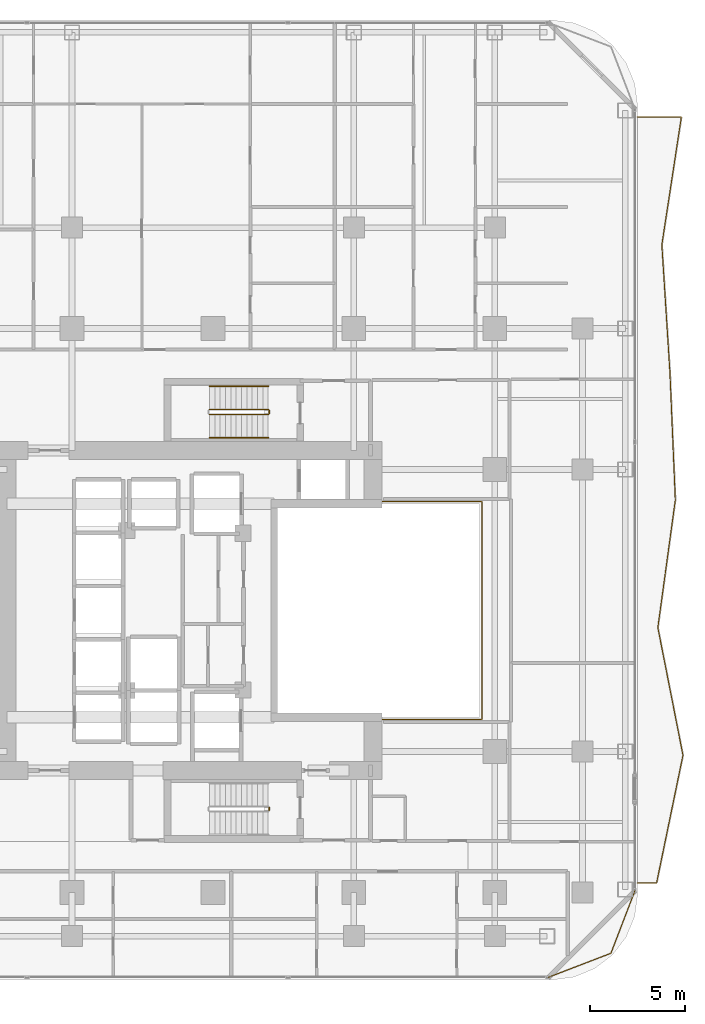
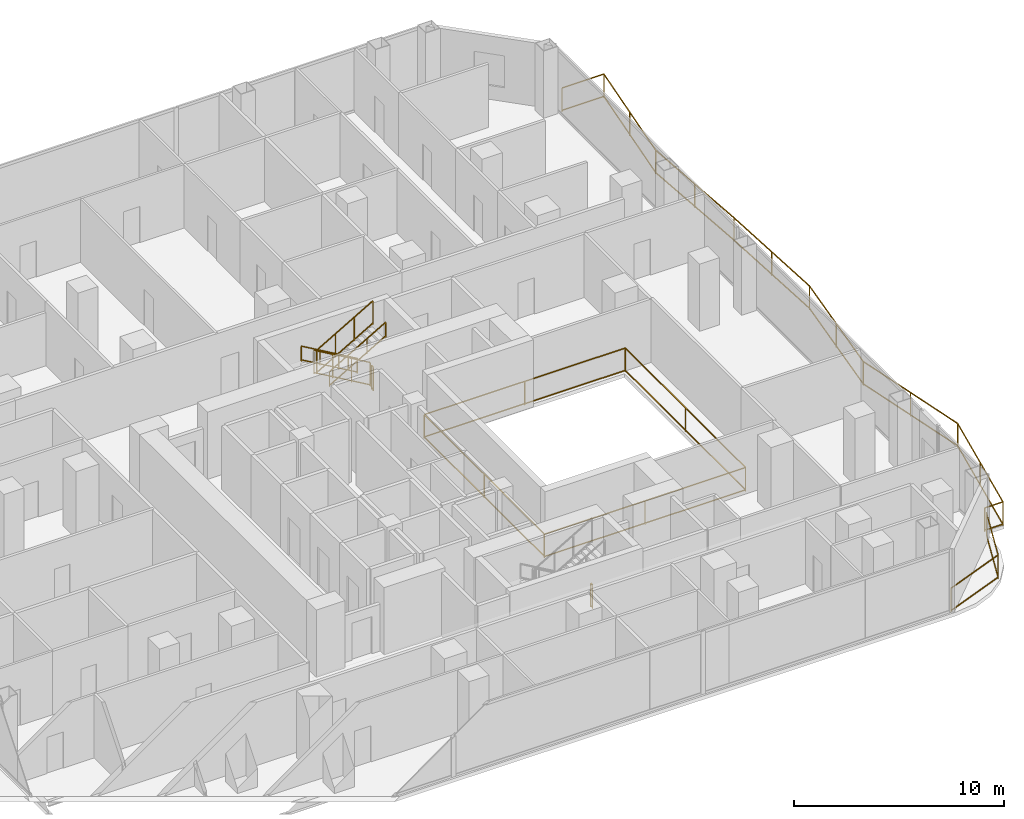
# One storey, part 27 of 28: 9 railings.
"""IFC4 building model written with IfcOpenShell, lengths in metres."""

import ifcopenshell
import ifcopenshell.guid

model = None  # the IFC model being written
_history = None  # IfcOwnerHistory: only IFC2X3 demands one
_inside = {}  # id of a spatial element -> (the spatial element, [elements in it])
_under = {}  # id of a project, library or spatial element -> (it, [spatial elements below it])
_declared = {}  # id of a project -> (the project, [libraries it declares])
_typed = {}  # id of a type object -> (the type object, [elements of that type])
_made_of = {}  # id of a material, layer set ... -> (it, [elements and type objects made of it])


def new_model(schema):
    """Start an empty IFC model of exactly this schema.

    Asked for "IFC4X3", IfcOpenShell would pick the latest addendum, in which some entities
    have other attributes; the version numbers below select the first issue.
    IFC2X3 requires an IfcOwnerHistory on every rooted entity: one is made here for all.
    """
    global model, _history
    if schema == "IFC4X3":
        model = ifcopenshell.file(schema_version=(4, 3, 0, 0))
    else:
        model = ifcopenshell.file(schema=schema)
    _inside.clear()
    _under.clear()
    _declared.clear()
    _typed.clear()
    _made_of.clear()
    _history = None
    if model.schema == "IFC2X3":
        org = make("IfcOrganization", Name="unknown")
        user = make(
            "IfcPersonAndOrganization",
            ThePerson=make("IfcPerson", FamilyName="unknown"),
            TheOrganization=org,
        )
        app = make(
            "IfcApplication",
            ApplicationDeveloper=org,
            Version="unknown",
            ApplicationFullName="unknown",
            ApplicationIdentifier="unknown",
        )
        _history = make(
            "IfcOwnerHistory",
            OwningUser=user,
            OwningApplication=app,
            ChangeAction="ADDED",
            CreationDate=0,
        )
    return model


def make(cls, **values):
    """One entity of the class cls with the attributes given. An attribute that is None is left unset."""
    return model.create_entity(
        cls, **{name: value for name, value in values.items() if value is not None}
    )


def rooted(cls, **values):
    """An entity with a GlobalId (a new one), such as an element, a storey or a relation."""
    return make(cls, GlobalId=ifcopenshell.guid.new(), OwnerHistory=_history, **values)


def si_unit(unit_type, name, prefix=None):
    """IfcSIUnit, for example si_unit("LENGTHUNIT", "METRE", prefix="MILLI")."""
    return make("IfcSIUnit", UnitType=unit_type, Prefix=prefix, Name=name)


def assignment(units):
    """IfcUnitAssignment: the units of a project."""
    return None if units is None else make("IfcUnitAssignment", Units=units)


def point(xyz):
    """IfcCartesianPoint."""
    return None if xyz is None else make("IfcCartesianPoint", Coordinates=xyz)


def direction(xyz):
    """IfcDirection."""
    return None if xyz is None else make("IfcDirection", DirectionRatios=xyz)


def frame(location, z_axis=None, x_axis=None):
    """IfcAxis2Placement3D, a coordinate frame: its origin and axes. An axis left out is left unset."""
    return make(
        "IfcAxis2Placement3D",
        Location=point(location),
        Axis=direction(z_axis),
        RefDirection=direction(x_axis),
    )


def frame_2d(location, x_axis=None):
    """IfcAxis2Placement2D, a coordinate frame in the plane: its origin and x axis."""
    return make(
        "IfcAxis2Placement2D", Location=point(location), RefDirection=direction(x_axis)
    )


def origin():
    """The frame at (0, 0, 0) with its axes left unset."""
    return frame((0.0, 0.0, 0.0))


def origin_2d():
    """The frame at (0, 0) in the plane with its x axis left unset."""
    return frame_2d((0.0, 0.0))


def place(relative_to, where):
    """IfcLocalPlacement: puts the frame where relative to a parent placement (None: the world)."""
    return make(
        "IfcLocalPlacement", PlacementRelTo=relative_to, RelativePlacement=where
    )


def context(
    kind, dimensions, precision=None, world=None, true_north=None, identifier=None
):
    """IfcGeometricRepresentationContext, for example the 3D "Model" context."""
    return make(
        "IfcGeometricRepresentationContext",
        ContextIdentifier=identifier,
        ContextType=kind,
        CoordinateSpaceDimension=dimensions,
        Precision=precision,
        WorldCoordinateSystem=world,
        TrueNorth=true_north,
    )


def subcontext(parent, identifier, kind, view, scale=None):
    """IfcGeometricRepresentationSubContext, for example "Body" below "Model"."""
    return make(
        "IfcGeometricRepresentationSubContext",
        ContextIdentifier=identifier,
        ContextType=kind,
        ParentContext=parent,
        TargetScale=scale,
        TargetView=view,
    )


def project(units=None, contexts=None):
    """IfcProject with its units and contexts."""
    return rooted(
        "IfcProject",
        Name="project",
        RepresentationContexts=contexts,
        UnitsInContext=assignment(units),
    )


def spatial(cls, under=None, at=None, **own):
    """A site, building, storey or space (cls), placed at a placement, below another one or the project."""
    s = rooted(cls, ObjectPlacement=at, **own)
    if under is not None:
        _under.setdefault(under.id(), (under, []))[1].append(s)
    return s


def profile(cls, at=None, kind="AREA", **sizes):
    """A parametric profile (cls). Its sizes go by their IFC names, for example OverallWidth=200.0."""
    return make(cls, ProfileType=kind, Position=at, **sizes)


def rectangle(**sizes):
    """IfcRectangleProfileDef."""
    return profile("IfcRectangleProfileDef", **sizes)


def extrude(swept, where, along, depth):
    """IfcExtrudedAreaSolid: the profile swept, set in the frame where, extruded along a direction by depth."""
    return make(
        "IfcExtrudedAreaSolid",
        SweptArea=swept,
        Position=where,
        ExtrudedDirection=direction(along),
        Depth=depth,
    )


def shape(context_of_items, identifier, shape_type, items):
    """IfcShapeRepresentation: the items that make up one representation, for example the "Body"."""
    return make(
        "IfcShapeRepresentation",
        ContextOfItems=context_of_items,
        RepresentationIdentifier=identifier,
        RepresentationType=shape_type,
        Items=items,
    )


def material(Name=None, Category=None):
    """IfcMaterial."""
    return make("IfcMaterial", Name=Name, Category=Category)


def made_of(thing, what):
    """Note that an element or type object is made of a material, layer set ...; save() writes the relation."""
    if what is not None:
        _made_of.setdefault(what.id(), (what, []))[1].append(thing)
    return thing


def type_object(cls, material=None, **own):
    """A type object (cls), such as IfcWallType, which elements share."""
    return made_of(rooted(cls, **own), material)


def element(
    cls,
    number,
    at=None,
    inside=None,
    cuts=None,
    type_object=None,
    material=None,
    context=None,
    identifier="Body",
    shape_type=None,
    held_by="IfcProductDefinitionShape",
    body=None,
    shapes=None,
    **own,
):
    """One element of the class cls, such as IfcWall. Its Tag is "e" and its number.

    at: its placement. inside: the storey or other place that contains it. cuts: it is an
    opening in that element (IfcRelVoidsElement). A single representation is given by context,
    identifier, shape_type and body (its items); several are given by shapes. held_by: the class
    of the entity that holds the representations. save() writes the other relations.
    """
    e = rooted(cls, Tag="e%d" % number, ObjectPlacement=at, **own)
    if body is not None:
        shapes = [shape(context, identifier, shape_type, body)]
    if shapes is not None:
        e.Representation = make(held_by, Representations=shapes)
    if inside is not None:
        _inside.setdefault(inside.id(), (inside, []))[1].append(e)
    if cuts is not None:
        rooted(
            "IfcRelVoidsElement", RelatingBuildingElement=cuts, RelatedOpeningElement=e
        )
    if type_object is not None:
        _typed.setdefault(type_object.id(), (type_object, []))[1].append(e)
    return made_of(e, material)


def aggregate(whole, parts):
    """IfcRelAggregates: a whole, such as a stair, and the parts it consists of."""
    return rooted("IfcRelAggregates", RelatingObject=whole, RelatedObjects=parts)


def save(model, path):
    """Write the relations noted so far, then the file.

    IfcRelAggregates (storeys below a building ...), IfcRelContainedInSpatialStructure (elements
    in a storey), IfcRelDefinesByType, IfcRelAssociatesMaterial and IfcRelDeclares: one each for
    every whole, place, type object, material and project.
    """
    for whole, parts in _under.values():
        aggregate(whole, parts)
    for where, things in _inside.values():
        rooted(
            "IfcRelContainedInSpatialStructure",
            RelatedElements=things,
            RelatingStructure=where,
        )
    for kind, things in _typed.values():
        rooted("IfcRelDefinesByType", RelatedObjects=things, RelatingType=kind)
    for what, things in _made_of.values():
        rooted("IfcRelAssociatesMaterial", RelatedObjects=things, RelatingMaterial=what)
    for by, libraries in _declared.values():
        rooted("IfcRelDeclares", RelatingContext=by, RelatedDefinitions=libraries)
    model.write(path)


model = new_model("IFC4")

# Units and contexts
model_context = context("Model", 3, precision=1e-05, world=origin(), true_north=direction((0.0, 1.0)))
body_context = subcontext(model_context, "Body", "Model", "MODEL_VIEW")
ifc_project = project(units=[si_unit("LENGTHUNIT", "METRE"), si_unit("AREAUNIT", "SQUARE_METRE"), si_unit("VOLUMEUNIT", "CUBIC_METRE"), si_unit("PLANEANGLEUNIT", "RADIAN"), si_unit("MASSUNIT", "GRAM", prefix="KILO")], contexts=[model_context])

# Site, building, storey
site_placement = place(None, origin())
site = spatial("IfcSite", under=ifc_project, at=site_placement, CompositionType="ELEMENT")
building_placement = place(site_placement, origin())
building = spatial("IfcBuilding", under=site, at=building_placement, Name="Khorvyn Point Tower", CompositionType="ELEMENT")
storey_placement = place(building_placement, frame((0.0, 0.0, 100.800048828125)))
storey = spatial("IfcBuildingStorey", under=building, at=storey_placement, Name="L25", CompositionType="ELEMENT", Elevation=100.800048828125)

# Railings
ifc_material_1 = material(Name="Stainless steel 1.4401 and laminated glass", Category="steel")
railing_type_1 = type_object("IfcRailingType", Name="Crystal Atrium Smoke-Rated Perimeter Guardrail 1400", PredefinedType="GUARDRAIL", material=ifc_material_1)
railing_1_placement = place(storey_placement, frame((3.080078125, -5.719970703125, 0.0)))
element("IfcRailing", 1, at=railing_1_placement, inside=storey, type_object=railing_type_1, Name="L25 Crystal Atrium Perimeter Guardrail", PredefinedType="GUARDRAIL", context=body_context, shape_type="SweptSolid", body=[
    extrude(rectangle(XDim=0.048095703125, YDim=0.048095703125, at=origin_2d()), frame((0.0, 0.0, 1.3759765625), z_axis=(1.0, 0.0, 0.0), x_axis=(0.0, 1.0, 0.0)), (0.0, 0.0, 1.0), 11.0400390625),
    extrude(rectangle(XDim=0.048095703125, YDim=0.048095703125, at=origin_2d()), frame((0.0, 0.0, 0.080078125), z_axis=(1.0, 0.0, 0.0), x_axis=(0.0, 1.0, 0.0)), (0.0, 0.0, 1.0), 11.0400390625),
    extrude(rectangle(XDim=0.048095703125, YDim=0.048095703125, at=origin_2d()), frame((11.0400390625, 0.0, 1.3759765625), z_axis=(0.0, 1.0, 0.0), x_axis=(-1.0, 0.0, 0.0)), (0.0, 0.0, 1.0), 11.43994140625),
    extrude(rectangle(XDim=0.048095703125, YDim=0.048095703125, at=origin_2d()), frame((11.0400390625, 0.0, 0.080078125), z_axis=(0.0, 1.0, 0.0), x_axis=(-1.0, 0.0, 0.0)), (0.0, 0.0, 1.0), 11.43994140625),
    extrude(rectangle(XDim=0.048095703125, YDim=0.048095703125, at=origin_2d()), frame((11.0400390625, 11.43994140625, 1.3759765625), z_axis=(-1.0, 0.0, 0.0), x_axis=(0.0, -1.0, 0.0)), (0.0, 0.0, 1.0), 11.0400390625),
    extrude(rectangle(XDim=0.048095703125, YDim=0.048095703125, at=origin_2d()), frame((11.0400390625, 11.43994140625, 0.080078125), z_axis=(-1.0, 0.0, 0.0), x_axis=(0.0, -1.0, 0.0)), (0.0, 0.0, 1.0), 11.0400390625),
    extrude(rectangle(XDim=0.048095703125, YDim=0.048095703125, at=origin_2d()), frame((0.0, 11.43994140625, 1.3759765625), z_axis=(0.0, -1.0, 0.0), x_axis=(1.0, 0.0, 0.0)), (0.0, 0.0, 1.0), 11.409912109375),
    extrude(rectangle(XDim=0.048095703125, YDim=0.048095703125, at=origin_2d()), frame((0.0, 11.43994140625, 0.080078125), z_axis=(0.0, -1.0, 0.0), x_axis=(1.0, 0.0, 0.0)), (0.0, 0.0, 1.0), 11.409912109375),
    extrude(rectangle(XDim=0.0419921875, YDim=0.0419921875, at=origin_2d()), origin(), (0.0, 0.0, 1.0), 1.351806640625),
    extrude(rectangle(XDim=0.0419921875, YDim=0.0419921875, at=origin_2d()), frame((5.52001953125, 0.0, 0.0)), (0.0, 0.0, 1.0), 1.351806640625),
    extrude(rectangle(XDim=0.0419921875, YDim=0.0419921875, at=origin_2d()), frame((11.0400390625, 0.0, 0.0)), (0.0, 0.0, 1.0), 1.351806640625),
    extrude(rectangle(XDim=0.0419921875, YDim=0.0419921875, at=origin_2d()), frame((11.0400390625, 5.719970703125, 0.0)), (0.0, 0.0, 1.0), 1.351806640625),
    extrude(rectangle(XDim=0.0419921875, YDim=0.0419921875, at=origin_2d()), frame((11.0400390625, 11.43994140625, 0.0)), (0.0, 0.0, 1.0), 1.351806640625),
    extrude(rectangle(XDim=0.0419921875, YDim=0.0419921875, at=origin_2d()), frame((5.52001953125, 11.43994140625, 0.0)), (0.0, 0.0, 1.0), 1.351806640625),
    extrude(rectangle(XDim=0.0419921875, YDim=0.0419921875, at=origin_2d()), frame((0.0, 11.43994140625, 0.0)), (0.0, 0.0, 1.0), 1.351806640625),
    extrude(rectangle(XDim=0.0419921875, YDim=0.0419921875, at=origin_2d()), frame((0.0, 5.73486328125, 0.0)), (0.0, 0.0, 1.0), 1.351806640625),
    extrude(rectangle(XDim=0.0419921875, YDim=0.0419921875, at=origin_2d()), frame((0.0, 0.030029296875, 0.0)), (0.0, 0.0, 1.0), 1.351806640625),
])
ifc_material_2 = material(Name="Anodised aluminium 6063-T6 and laminated safety glass", Category="aluminium")
railing_type_2 = type_object("IfcRailingType", Name="Laminated Glass and Aluminium Balcony Guardrail 1400", PredefinedType="BALUSTRADE", material=ifc_material_2)
railing_2_placement = place(storey_placement, frame((17.57080078125, -19.27392578125, 0.0)))
element("IfcRailing", 2, at=railing_2_placement, inside=storey, type_object=railing_type_2, Name="L25 Rounded Corner Edge Guardrail SE", PredefinedType="BALUSTRADE", context=body_context, shape_type="SweptSolid", body=[
    extrude(rectangle(XDim=0.048095703125, YDim=0.048095703125, at=origin_2d()), frame((0.0, 0.0, 1.3759765625), z_axis=(0.933583807283, 0.358359142172, 0.0), x_axis=(-0.358359142172, 0.933583807283, 0.0)), (0.0, 0.0, 1.0), 3.56298828125),
    extrude(rectangle(XDim=0.048095703125, YDim=0.048095703125, at=origin_2d()), frame((0.0, 0.0, 0.080078125), z_axis=(0.933583807283, 0.358359142172, 0.0), x_axis=(-0.358359142172, 0.933583807283, 0.0)), (0.0, 0.0, 1.0), 3.56298828125),
    extrude(rectangle(XDim=0.048095703125, YDim=0.048095703125, at=origin_2d()), frame((3.326416015625, 1.27685546875, 1.3759765625), z_axis=(0.358382067435, 0.933575007025, 0.0), x_axis=(-0.933575007025, 0.358382067435, 0.0)), (0.0, 0.0, 1.0), 3.562744140625),
    extrude(rectangle(XDim=0.048095703125, YDim=0.048095703125, at=origin_2d()), frame((3.326416015625, 1.27685546875, 0.080078125), z_axis=(0.358382067435, 0.933575007025, 0.0), x_axis=(-0.933575007025, 0.358382067435, 0.0)), (0.0, 0.0, 1.0), 3.562744140625),
    extrude(rectangle(XDim=0.0419921875, YDim=0.0419921875, at=origin_2d()), origin(), (0.0, 0.0, 1.0), 1.351806640625),
    extrude(rectangle(XDim=0.0419921875, YDim=0.0419921875, at=origin_2d()), frame((3.326416015625, 1.27685546875, 0.0)), (0.0, 0.0, 1.0), 1.351806640625),
    extrude(rectangle(XDim=0.0419921875, YDim=0.0419921875, at=origin_2d()), frame((4.603271484375, 4.60302734375, 0.0)), (0.0, 0.0, 1.0), 1.351806640625),
])
railing_3_placement = place(storey_placement, frame((22.300048828125, -14.300048828125, 0.0)))
element("IfcRailing", 3, at=railing_3_placement, inside=storey, type_object=railing_type_2, Name="L25 East Balcony Guardrail", PredefinedType="BALUSTRADE", context=body_context, shape_type="SweptSolid", body=[
    extrude(rectangle(XDim=0.048095703125, YDim=0.048095703125, at=origin_2d()), frame((0.0, 0.0, 1.3759765625), z_axis=(1.0, 0.0, 0.0), x_axis=(0.0, 1.0, 0.0)), (0.0, 0.0, 1.0), 0.9951171875),
    extrude(rectangle(XDim=0.048095703125, YDim=0.048095703125, at=origin_2d()), frame((0.0, 0.0, 0.080078125), z_axis=(1.0, 0.0, 0.0), x_axis=(0.0, 1.0, 0.0)), (0.0, 0.0, 1.0), 0.9951171875),
    extrude(rectangle(XDim=0.048095703125, YDim=0.048095703125, at=origin_2d()), frame((0.9951171875, 0.0, 1.3759765625), z_axis=(0.20233655163, 0.979316046981, 0.0), x_axis=(-0.979316046981, 0.20233655163, 0.0)), (0.0, 0.0, 1.0), 6.841552734375),
    extrude(rectangle(XDim=0.048095703125, YDim=0.048095703125, at=origin_2d()), frame((0.9951171875, 0.0, 0.080078125), z_axis=(0.20233655163, 0.979316046981, 0.0), x_axis=(-0.979316046981, 0.20233655163, 0.0)), (0.0, 0.0, 1.0), 6.841552734375),
    extrude(rectangle(XDim=0.048095703125, YDim=0.048095703125, at=origin_2d()), frame((2.37939453125, 6.699951171875, 1.3759765625), z_axis=(-0.193200160481, 0.981159364217, 0.0), x_axis=(-0.981159364217, -0.193200160481, 0.0)), (0.0, 0.0, 1.0), 6.828857421875),
    extrude(rectangle(XDim=0.048095703125, YDim=0.048095703125, at=origin_2d()), frame((2.37939453125, 6.699951171875, 0.080078125), z_axis=(-0.193200160481, 0.981159364217, 0.0), x_axis=(-0.981159364217, -0.193200160481, 0.0)), (0.0, 0.0, 1.0), 6.828857421875),
    extrude(rectangle(XDim=0.048095703125, YDim=0.048095703125, at=origin_2d()), frame((1.06005859375, 13.400146484375, 1.3759765625), z_axis=(0.135778529509, 0.990739214387, 0.0), x_axis=(-0.990739214387, 0.135778529509, 0.0)), (0.0, 0.0, 1.0), 6.7626953125),
    extrude(rectangle(XDim=0.048095703125, YDim=0.048095703125, at=origin_2d()), frame((1.06005859375, 13.400146484375, 0.080078125), z_axis=(0.135778529509, 0.990739214387, 0.0), x_axis=(-0.990739214387, 0.135778529509, 0.0)), (0.0, 0.0, 1.0), 6.7626953125),
    extrude(rectangle(XDim=0.048095703125, YDim=0.048095703125, at=origin_2d()), frame((1.978271484375, 20.10009765625, 1.3759765625), z_axis=(-0.042195378406, 0.999109378417, 0.0), x_axis=(-0.999109378417, -0.042195378406, 0.0)), (0.0, 0.0, 1.0), 6.705810546875),
    extrude(rectangle(XDim=0.048095703125, YDim=0.048095703125, at=origin_2d()), frame((1.978271484375, 20.10009765625, 0.080078125), z_axis=(-0.042195378406, 0.999109378417, 0.0), x_axis=(-0.999109378417, -0.042195378406, 0.0)), (0.0, 0.0, 1.0), 6.705810546875),
    extrude(rectangle(XDim=0.048095703125, YDim=0.048095703125, at=origin_2d()), frame((1.6953125, 26.800048828125, 1.3759765625), z_axis=(-0.063277084693, 0.997995997263, 0.0), x_axis=(-0.997995997263, -0.063277084693, 0.0)), (0.0, 0.0, 1.0), 6.71337890625),
    extrude(rectangle(XDim=0.048095703125, YDim=0.048095703125, at=origin_2d()), frame((1.6953125, 26.800048828125, 0.080078125), z_axis=(-0.063277084693, 0.997995997263, 0.0), x_axis=(-0.997995997263, -0.063277084693, 0.0)), (0.0, 0.0, 1.0), 6.71337890625),
    extrude(rectangle(XDim=0.048095703125, YDim=0.048095703125, at=origin_2d()), frame((1.2705078125, 33.5, 1.3759765625), z_axis=(0.151071842168, 0.988522786032, 0.0), x_axis=(-0.988522786032, 0.151071842168, 0.0)), (0.0, 0.0, 1.0), 6.77783203125),
    extrude(rectangle(XDim=0.048095703125, YDim=0.048095703125, at=origin_2d()), frame((1.2705078125, 33.5, 0.080078125), z_axis=(0.151071842168, 0.988522786032, 0.0), x_axis=(-0.988522786032, 0.151071842168, 0.0)), (0.0, 0.0, 1.0), 6.77783203125),
    extrude(rectangle(XDim=0.048095703125, YDim=0.048095703125, at=origin_2d()), frame((2.29443359375, 40.199951171875, 1.3759765625), z_axis=(-1.0, 0.0, 0.0), x_axis=(0.0, -1.0, 0.0)), (0.0, 0.0, 1.0), 2.29443359375),
    extrude(rectangle(XDim=0.048095703125, YDim=0.048095703125, at=origin_2d()), frame((2.29443359375, 40.199951171875, 0.080078125), z_axis=(-1.0, 0.0, 0.0), x_axis=(0.0, -1.0, 0.0)), (0.0, 0.0, 1.0), 2.29443359375),
    extrude(rectangle(XDim=0.0419921875, YDim=0.0419921875, at=origin_2d()), origin(), (0.0, 0.0, 1.0), 1.351806640625),
    extrude(rectangle(XDim=0.0419921875, YDim=0.0419921875, at=origin_2d()), frame((0.9951171875, 0.0, 0.0)), (0.0, 0.0, 1.0), 1.351806640625),
    extrude(rectangle(XDim=0.0419921875, YDim=0.0419921875, at=origin_2d()), frame((1.687255859375, 3.35009765625, 0.0)), (0.0, 0.0, 1.0), 1.351806640625),
    extrude(rectangle(XDim=0.0419921875, YDim=0.0419921875, at=origin_2d()), frame((2.37939453125, 6.699951171875, 0.0)), (0.0, 0.0, 1.0), 1.351806640625),
    extrude(rectangle(XDim=0.0419921875, YDim=0.0419921875, at=origin_2d()), frame((1.7197265625, 10.050048828125, 0.0)), (0.0, 0.0, 1.0), 1.351806640625),
    extrude(rectangle(XDim=0.0419921875, YDim=0.0419921875, at=origin_2d()), frame((1.06005859375, 13.400146484375, 0.0)), (0.0, 0.0, 1.0), 1.351806640625),
    extrude(rectangle(XDim=0.0419921875, YDim=0.0419921875, at=origin_2d()), frame((1.51904296875, 16.75, 0.0)), (0.0, 0.0, 1.0), 1.351806640625),
    extrude(rectangle(XDim=0.0419921875, YDim=0.0419921875, at=origin_2d()), frame((1.978271484375, 20.10009765625, 0.0)), (0.0, 0.0, 1.0), 1.351806640625),
    extrude(rectangle(XDim=0.0419921875, YDim=0.0419921875, at=origin_2d()), frame((1.8369140625, 23.4501953125, 0.0)), (0.0, 0.0, 1.0), 1.351806640625),
    extrude(rectangle(XDim=0.0419921875, YDim=0.0419921875, at=origin_2d()), frame((1.6953125, 26.800048828125, 0.0)), (0.0, 0.0, 1.0), 1.351806640625),
    extrude(rectangle(XDim=0.0419921875, YDim=0.0419921875, at=origin_2d()), frame((1.48291015625, 30.14990234375, 0.0)), (0.0, 0.0, 1.0), 1.351806640625),
    extrude(rectangle(XDim=0.0419921875, YDim=0.0419921875, at=origin_2d()), frame((1.2705078125, 33.5, 0.0)), (0.0, 0.0, 1.0), 1.351806640625),
    extrude(rectangle(XDim=0.0419921875, YDim=0.0419921875, at=origin_2d()), frame((1.782470703125, 36.85009765625, 0.0)), (0.0, 0.0, 1.0), 1.351806640625),
    extrude(rectangle(XDim=0.0419921875, YDim=0.0419921875, at=origin_2d()), frame((2.29443359375, 40.199951171875, 0.0)), (0.0, 0.0, 1.0), 1.351806640625),
    extrude(rectangle(XDim=0.0419921875, YDim=0.0419921875, at=origin_2d()), frame((0.0, 40.199951171875, 0.0)), (0.0, 0.0, 1.0), 1.351806640625),
])
ifc_material_3 = material(Name="Stainless steel 1.4301", Category="steel")
railing_type_3 = type_object("IfcRailingType", Name="Stainless Steel 304 Stair Pitch Handrail 900", PredefinedType="HANDRAIL", material=ifc_material_3)
railing_4_placement = place(storey_placement, frame((2.89990234375, 11.77001953125, 0.162353515625)))
element("IfcRailing", 4, at=railing_4_placement, inside=storey, type_object=railing_type_3, Name="L25 ST-02 stair handrail 1", PredefinedType="HANDRAIL", context=body_context, shape_type="SweptSolid", body=[
    extrude(rectangle(XDim=0.048095703125, YDim=0.048095703125, at=origin_2d()), frame((0.0, 0.0, 0.8759765625), z_axis=(-0.864873446163, 0.0, 0.501989962173), x_axis=(0.0, -1.0, 0.0)), (0.0, 0.0, 1.0), 3.56103515625),
    extrude(rectangle(XDim=0.048095703125, YDim=0.048095703125, at=origin_2d()), frame((0.0, 0.0, 0.080078125), z_axis=(-0.864873446163, 0.0, 0.501989962173), x_axis=(0.0, -1.0, 0.0)), (0.0, 0.0, 1.0), 3.56103515625),
    extrude(rectangle(XDim=0.0419921875, YDim=0.0419921875, at=origin_2d()), origin(), (0.0, 0.0, 1.0), 0.851806640625),
    extrude(rectangle(XDim=0.0419921875, YDim=0.0419921875, at=origin_2d()), frame((-1.026611328125, 0.0, 0.595947265625)), (0.0, 0.0, 1.0), 0.851806640625),
    extrude(rectangle(XDim=0.0419921875, YDim=0.0419921875, at=origin_2d()), frame((-2.05322265625, 0.0, 1.191650390625)), (0.0, 0.0, 1.0), 0.851806640625),
    extrude(rectangle(XDim=0.0419921875, YDim=0.0419921875, at=origin_2d()), frame((-3.079833984375, 0.0, 1.78759765625)), (0.0, 0.0, 1.0), 0.851806640625),
])
railing_5_placement = place(storey_placement, frame((-0.179931640625, 9.070068359375, 2.112548828125)))
element("IfcRailing", 5, at=railing_5_placement, inside=storey, type_object=railing_type_3, Name="L25 ST-02 stair handrail 2", PredefinedType="HANDRAIL", context=body_context, shape_type="SweptSolid", body=[
    extrude(rectangle(XDim=0.048095703125, YDim=0.048095703125, at=origin_2d()), frame((0.0, 0.0, 0.8759765625), z_axis=(0.864903211148, 0.0, 0.501938676878), x_axis=(0.0, 1.0, 0.0)), (0.0, 0.0, 1.0), 3.560791015625),
    extrude(rectangle(XDim=0.048095703125, YDim=0.048095703125, at=origin_2d()), frame((0.0, 0.0, 0.080078125), z_axis=(0.864903211148, 0.0, 0.501938676878), x_axis=(0.0, 1.0, 0.0)), (0.0, 0.0, 1.0), 3.560791015625),
    extrude(rectangle(XDim=0.0419921875, YDim=0.0419921875, at=origin_2d()), origin(), (0.0, 0.0, 1.0), 0.851806640625),
    extrude(rectangle(XDim=0.0419921875, YDim=0.0419921875, at=origin_2d()), frame((1.026611328125, 0.0, 0.595703125)), (0.0, 0.0, 1.0), 0.851806640625),
    extrude(rectangle(XDim=0.0419921875, YDim=0.0419921875, at=origin_2d()), frame((2.05322265625, 0.0, 1.191650390625)), (0.0, 0.0, 1.0), 0.851806640625),
    extrude(rectangle(XDim=0.0419921875, YDim=0.0419921875, at=origin_2d()), frame((3.079833984375, 0.0, 1.787353515625)), (0.0, 0.0, 1.0), 0.851806640625),
])
railing_type_4 = type_object("IfcRailingType", Name="Stainless Steel 304 Stair Well Guardrail 1400", PredefinedType="GUARDRAIL", material=ifc_material_3)
railing_6_placement = place(storey_placement, frame((2.949951171875, -10.340087890625, 0.0)))
element("IfcRailing", 6, at=railing_6_placement, inside=storey, type_object=railing_type_4, Name="L25 ST-01 stair guard 4", PredefinedType="GUARDRAIL", context=body_context, shape_type="SweptSolid", body=[
    extrude(rectangle(XDim=0.048095703125, YDim=0.048095703125, at=origin_2d()), frame((0.0, 0.0, 1.3759765625), z_axis=(0.0, -1.0, 0.0), x_axis=(1.0, 0.0, 0.0)), (0.0, 0.0, 1.0), 0.159912109375),
    extrude(rectangle(XDim=0.048095703125, YDim=0.048095703125, at=origin_2d()), frame((0.0, 0.0, 0.080078125), z_axis=(0.0, -1.0, 0.0), x_axis=(1.0, 0.0, 0.0)), (0.0, 0.0, 1.0), 0.159912109375),
    extrude(rectangle(XDim=0.0419921875, YDim=0.0419921875, at=origin_2d()), origin(), (0.0, 0.0, 1.0), 1.351806640625),
    extrude(rectangle(XDim=0.0419921875, YDim=0.0419921875, at=origin_2d()), frame((0.0, -0.159912109375, 0.0)), (0.0, 0.0, 1.0), 1.351806640625),
])
railing_7_placement = place(storey_placement, frame((2.89990234375, 10.550048828125, 0.162353515625)))
element("IfcRailing", 7, at=railing_7_placement, inside=storey, type_object=railing_type_4, Name="L25 ST-02 stair guard 1", PredefinedType="GUARDRAIL", context=body_context, shape_type="SweptSolid", body=[
    extrude(rectangle(XDim=0.048095703125, YDim=0.048095703125, at=origin_2d()), frame((0.0, 0.0, 1.3759765625), z_axis=(-0.864873446163, 0.0, 0.501989962173), x_axis=(0.0, -1.0, 0.0)), (0.0, 0.0, 1.0), 3.56103515625),
    extrude(rectangle(XDim=0.048095703125, YDim=0.048095703125, at=origin_2d()), frame((0.0, 0.0, 0.080078125), z_axis=(-0.864873446163, 0.0, 0.501989962173), x_axis=(0.0, -1.0, 0.0)), (0.0, 0.0, 1.0), 3.56103515625),
    extrude(rectangle(XDim=0.0419921875, YDim=0.0419921875, at=origin_2d()), origin(), (0.0, 0.0, 1.0), 1.351806640625),
    extrude(rectangle(XDim=0.0419921875, YDim=0.0419921875, at=origin_2d()), frame((-1.026611328125, 0.0, 0.595947265625)), (0.0, 0.0, 1.0), 1.351806640625),
    extrude(rectangle(XDim=0.0419921875, YDim=0.0419921875, at=origin_2d()), frame((-2.05322265625, 0.0, 1.191650390625)), (0.0, 0.0, 1.0), 1.351806640625),
    extrude(rectangle(XDim=0.0419921875, YDim=0.0419921875, at=origin_2d()), frame((-3.079833984375, 0.0, 1.78759765625)), (0.0, 0.0, 1.0), 1.351806640625),
])
railing_8_placement = place(storey_placement, frame((-0.179931640625, 10.2900390625, 2.112548828125)))
element("IfcRailing", 8, at=railing_8_placement, inside=storey, type_object=railing_type_4, Name="L25 ST-02 stair guard 3", PredefinedType="GUARDRAIL", context=body_context, shape_type="SweptSolid", body=[
    extrude(rectangle(XDim=0.048095703125, YDim=0.048095703125, at=origin_2d()), frame((0.0, 0.0, 1.3759765625), z_axis=(0.864903211148, 0.0, 0.501938676878), x_axis=(0.0, 1.0, 0.0)), (0.0, 0.0, 1.0), 3.560791015625),
    extrude(rectangle(XDim=0.048095703125, YDim=0.048095703125, at=origin_2d()), frame((0.0, 0.0, 0.080078125), z_axis=(0.864903211148, 0.0, 0.501938676878), x_axis=(0.0, 1.0, 0.0)), (0.0, 0.0, 1.0), 3.560791015625),
    extrude(rectangle(XDim=0.0419921875, YDim=0.0419921875, at=origin_2d()), origin(), (0.0, 0.0, 1.0), 1.351806640625),
    extrude(rectangle(XDim=0.0419921875, YDim=0.0419921875, at=origin_2d()), frame((1.026611328125, 0.0, 0.595703125)), (0.0, 0.0, 1.0), 1.351806640625),
    extrude(rectangle(XDim=0.0419921875, YDim=0.0419921875, at=origin_2d()), frame((2.05322265625, 0.0, 1.191650390625)), (0.0, 0.0, 1.0), 1.351806640625),
    extrude(rectangle(XDim=0.0419921875, YDim=0.0419921875, at=origin_2d()), frame((3.079833984375, 0.0, 1.787353515625)), (0.0, 0.0, 1.0), 1.351806640625),
])
railing_9_placement = place(storey_placement, frame((2.949951171875, 10.5, 0.0)))
element("IfcRailing", 9, at=railing_9_placement, inside=storey, type_object=railing_type_4, Name="L25 ST-02 stair guard 4", PredefinedType="GUARDRAIL", context=body_context, shape_type="SweptSolid", body=[
    extrude(rectangle(XDim=0.048095703125, YDim=0.048095703125, at=origin_2d()), frame((0.0, 0.0, 1.3759765625), z_axis=(0.0, -1.0, 0.0), x_axis=(1.0, 0.0, 0.0)), (0.0, 0.0, 1.0), 0.159912109375),
    extrude(rectangle(XDim=0.048095703125, YDim=0.048095703125, at=origin_2d()), frame((0.0, 0.0, 0.080078125), z_axis=(0.0, -1.0, 0.0), x_axis=(1.0, 0.0, 0.0)), (0.0, 0.0, 1.0), 0.159912109375),
    extrude(rectangle(XDim=0.0419921875, YDim=0.0419921875, at=origin_2d()), origin(), (0.0, 0.0, 1.0), 1.351806640625),
    extrude(rectangle(XDim=0.0419921875, YDim=0.0419921875, at=origin_2d()), frame((0.0, -0.159912109375, 0.0)), (0.0, 0.0, 1.0), 1.351806640625),
])

save(model, "model.ifc")
